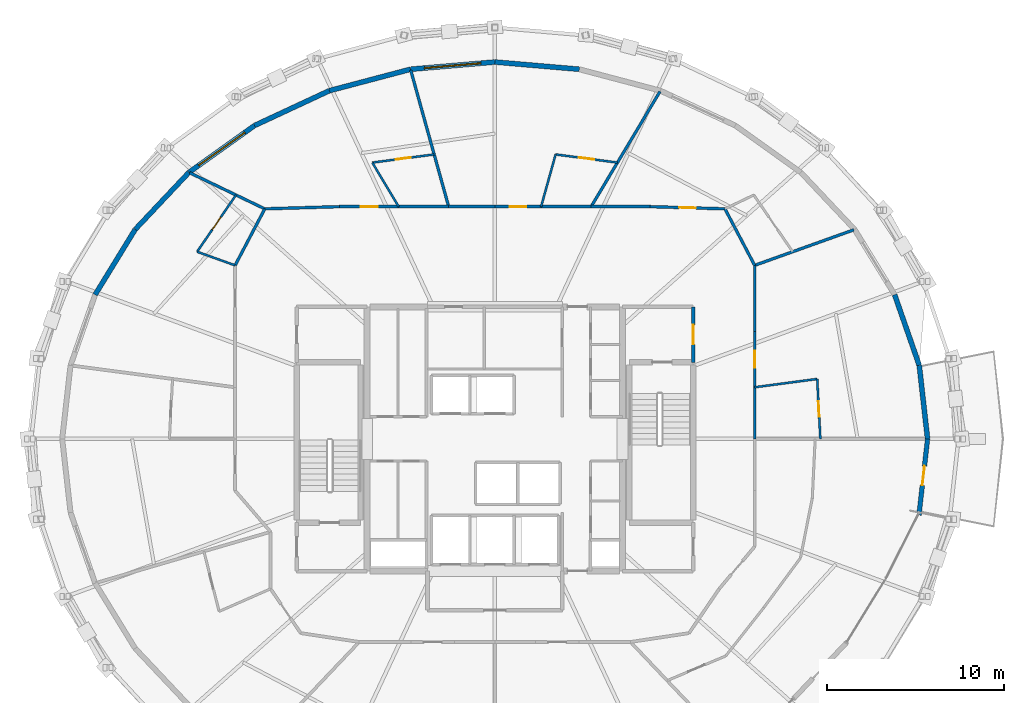
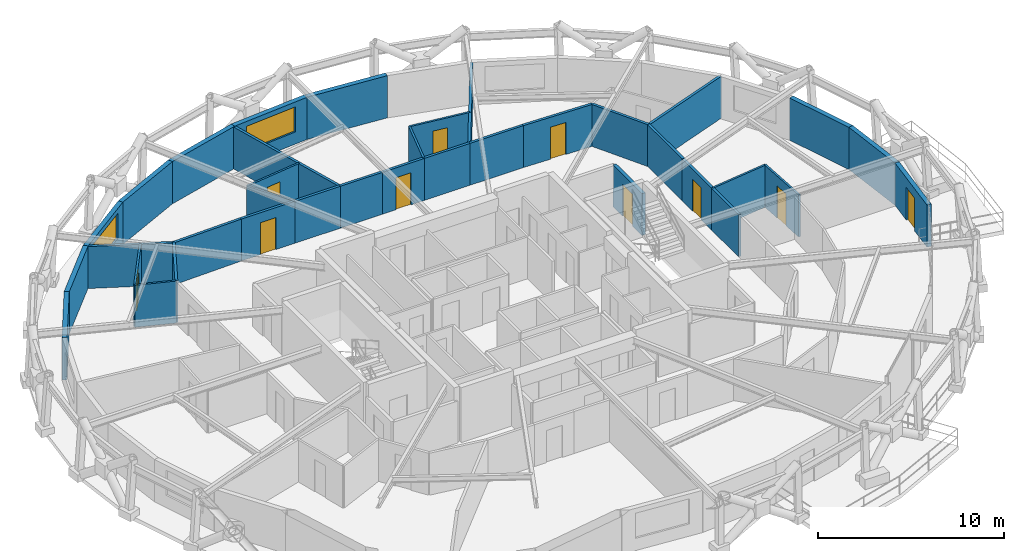
# One storey, part 12 of 14: 36 walls, 10 doors, 2 windows, 12 openings.
"""IFC4 building model written with IfcOpenShell, lengths in metres."""

from ifc_helpers import new_model, si_unit, direction, frame, frame_2d, origin, place, context, subcontext, project, spatial, rectangle, extrude, material, layer, layer_set, type_object, element, fill, save


model = new_model("IFC4")

# Units and contexts
model_context = context("Model", 3, precision=1e-05, world=origin(), true_north=direction((0.0, 1.0)))
body_context = subcontext(model_context, "Body", "Model", "MODEL_VIEW")
ifc_project = project(units=[si_unit("LENGTHUNIT", "METRE"), si_unit("AREAUNIT", "SQUARE_METRE"), si_unit("VOLUMEUNIT", "CUBIC_METRE"), si_unit("PLANEANGLEUNIT", "RADIAN"), si_unit("MASSUNIT", "GRAM", prefix="KILO")], contexts=[model_context])

# Site, building, storey
site_placement = place(None, origin())
site = spatial("IfcSite", under=ifc_project, at=site_placement, CompositionType="ELEMENT")
building_placement = place(site_placement, origin())
building = spatial("IfcBuilding", under=site, at=building_placement, Name="Veldorina Hangang Commons", CompositionType="ELEMENT")
storey_placement = place(building_placement, frame((0.0, 0.0, 200.0)))
storey = spatial("IfcBuildingStorey", under=building, at=storey_placement, Name="L52", CompositionType="ELEMENT", Elevation=200.0)

# Wall, opening, door
ifc_material_1 = material(Name="Stone Roman Travertine", Category="masonry")
ifc_layer_1 = layer(ifc_material_1, 0.260009765625)
ifc_layer_set_1 = layer_set([ifc_layer_1], Name="Stone Roman Travertine")
wall_type_1 = type_object("IfcWallType", Name="EW-LOGGIA-260", PredefinedType="STANDARD", material=ifc_layer_set_1)
wall_1_placement = place(storey_placement, frame((55.914794921875, 19.703369140625, 0.0), z_axis=(0.0, 0.0, 1.0), x_axis=(0.112302837685, 0.993674027359, 0.0)))
wall_1 = element("IfcWall", 1, at=wall_1_placement, inside=storey, type_object=wall_type_1, Name="L52 sky-garden loggia portal wall 31", PredefinedType="STANDARD", context=body_context, shape_type="SweptSolid", body=[
    extrude(rectangle(XDim=4.323974609375, YDim=0.260009765625, at=frame_2d((2.162109375, 0.0))), origin(), (0.0, 0.0, 1.0), 2.77001953125),
])
opening_1_placement = place(wall_1_placement, frame((1.6875, 0.0, 0.0)))
opening_1 = element("IfcOpeningElement", 2, at=opening_1_placement, cuts=wall_1, Name="Opening BD-1100", PredefinedType="OPENING", context=body_context, shape_type="SweptSolid", body=[
    extrude(rectangle(XDim=1.10009765625, YDim=2.14990234375, at=frame_2d((0.550048828125, 1.074951171875))), frame((0.0, 0.14013671875, 0.0), z_axis=(0.0, -1.0, 0.0), x_axis=(1.0, 0.0, 0.0)), (0.0, 0.0, 1.0), 0.280029296875),
])
ifc_material_2 = material(Name="Glass Thermal Aluminium Frame", Category="aluminium")
door_type_1 = type_object("IfcDoorType", Name="DR-EXT-BAL1100", OperationType="SINGLE_SWING_RIGHT", PredefinedType="DOOR", material=ifc_material_2)
door_1_placement = place(opening_1_placement, origin())
door_1 = element("IfcDoor", 3, at=door_1_placement, inside=storey, type_object=door_type_1, Name="L52 tree balcony glazed exterior door 31", OperationType="SINGLE_SWING_RIGHT", OverallHeight=2.14990234375, OverallWidth=1.10009765625, PredefinedType="DOOR", context=body_context, shape_type="SweptSolid", body=[
    extrude(rectangle(XDim=1.10009765625, YDim=2.14990234375, at=frame_2d((0.550048828125, 1.074951171875))), frame((0.0, 0.02490234375, 0.0), z_axis=(0.0, -1.0, 0.0), x_axis=(1.0, 0.0, 0.0)), (0.0, 0.0, 1.0), 0.050048828125),
])
fill(opening_1, door_1)

# Walls
ifc_layer_2 = layer(ifc_material_1, 0.280029296875)
ifc_layer_set_2 = layer_set([ifc_layer_2], Name="Stone Roman Travertine")
wall_type_2 = type_object("IfcWallType", Name="EW-TRAV-280", PredefinedType="STANDARD", material=ifc_layer_set_2)
wall_2_placement = place(storey_placement, frame((56.400390625, 24.0, 0.0), z_axis=(0.0, 0.0, 1.0), x_axis=(-0.112325534702, 0.99367146193, 0.0)))
element("IfcWall", 4, at=wall_2_placement, inside=storey, type_object=wall_type_2, Name="L52 travertine facade wall 00", PredefinedType="STANDARD", context=body_context, shape_type="SweptSolid", body=[
    extrude(rectangle(XDim=4.173095703125, YDim=0.280029296875, at=frame_2d((2.08642578125, 0.0))), origin(), (0.0, 0.0, 1.0), 2.77001953125),
])
wall_3_placement = place(storey_placement, frame((55.931640625, 28.146728515625, 0.0), z_axis=(0.0, 0.0, 1.0), x_axis=(-0.328845805233, 0.94438362776, 0.0)))
element("IfcWall", 5, at=wall_3_placement, inside=storey, type_object=wall_type_2, Name="L52 travertine facade wall 01", PredefinedType="STANDARD", context=body_context, shape_type="SweptSolid", body=[
    extrude(rectangle(XDim=4.22216796875, YDim=0.280029296875, at=frame_2d((2.111083984375, 0.0))), origin(), (0.0, 0.0, 1.0), 2.77001953125),
])
wall_4_placement = place(storey_placement, frame((36.76025390625, 44.8466796875, 0.0), z_axis=(0.0, 0.0, 1.0), x_axis=(-0.996339067147, 0.085489550689, 0.0)))
element("IfcWall", 6, at=wall_4_placement, inside=storey, type_object=wall_type_2, Name="L52 travertine facade wall 07", PredefinedType="STANDARD", context=body_context, shape_type="SweptSolid", body=[
    extrude(rectangle(XDim=4.77783203125, YDim=0.280029296875, at=frame_2d((2.388916015625, 0.0))), origin(), (0.0, 0.0, 1.0), 2.77001953125),
])

# Wall, opening, window
wall_5_placement = place(storey_placement, frame((32.0, 45.255126953125, 0.0), z_axis=(0.0, 0.0, 1.0), x_axis=(-0.996339067147, -0.085489550689, 0.0)))
wall_5 = element("IfcWall", 7, at=wall_5_placement, inside=storey, type_object=wall_type_2, Name="L52 travertine facade wall 08", PredefinedType="STANDARD", context=body_context, shape_type="SweptSolid", body=[
    extrude(rectangle(XDim=4.77783203125, YDim=0.280029296875, at=frame_2d((2.388916015625, 0.0))), origin(), (0.0, 0.0, 1.0), 2.77001953125),
])
opening_2_placement = place(wall_5_placement, frame((0.788818359375, 0.0, 0.800048828125)))
opening_2 = element("IfcOpeningElement", 8, at=opening_2_placement, cuts=wall_5, Name="Opening W-01", PredefinedType="OPENING", context=body_context, shape_type="SweptSolid", body=[
    extrude(rectangle(XDim=3.199951171875, YDim=1.64990234375, at=frame_2d((1.60009765625, 0.824951171875))), frame((0.0, 0.14990234375, 0.0), z_axis=(0.0, -1.0, 0.0), x_axis=(1.0, 0.0, 0.0)), (0.0, 0.0, 1.0), 0.300048828125),
])
ifc_material_3 = material(Name="Glass Low-E Triple IGU", Category="glass")
window_type = type_object("IfcWindowType", Name="WIN-TWR-3200", PartitioningType="SINGLE_PANEL", PredefinedType="WINDOW", material=ifc_material_3)
window_1_placement = place(opening_2_placement, origin())
window_1 = element("IfcWindow", 9, at=window_1_placement, inside=storey, type_object=window_type, Name="L52 facade window 08", OverallHeight=1.64990234375, OverallWidth=3.199951171875, PartitioningType="SINGLE_PANEL", PredefinedType="WINDOW", context=body_context, shape_type="SweptSolid", body=[
    extrude(rectangle(XDim=3.199951171875, YDim=1.64990234375, at=frame_2d((1.60009765625, 0.824951171875))), frame((0.0, 0.030029296875, 0.0), z_axis=(0.0, -1.0, 0.0), x_axis=(1.0, 0.0, 0.0)), (0.0, 0.0, 1.0), 0.06005859375),
])
fill(opening_2, window_1)

# Walls
wall_6_placement = place(storey_placement, frame((27.23974609375, 44.8466796875, 0.0), z_axis=(0.0, 0.0, 1.0), x_axis=(-0.966819561224, -0.255460243549, 0.0)))
element("IfcWall", 10, at=wall_6_placement, inside=storey, type_object=wall_type_2, Name="L52 travertine facade wall 09", PredefinedType="STANDARD", context=body_context, shape_type="SweptSolid", body=[
    extrude(rectangle(XDim=4.734375, YDim=0.280029296875, at=frame_2d((2.3671875, 0.0))), origin(), (0.0, 0.0, 1.0), 2.77001953125),
])
wall_7_placement = place(storey_placement, frame((22.662353515625, 43.63720703125, 0.0), z_axis=(0.0, 0.0, 1.0), x_axis=(-0.906555409807, -0.422086826315, 0.0)))
element("IfcWall", 11, at=wall_7_placement, inside=storey, type_object=wall_type_2, Name="L52 travertine facade wall 10", PredefinedType="STANDARD", context=body_context, shape_type="SweptSolid", body=[
    extrude(rectangle(XDim=4.6533203125, YDim=0.280029296875, at=frame_2d((2.32666015625, 0.0))), origin(), (0.0, 0.0, 1.0), 2.77001953125),
])

# Wall, opening, window
wall_8_placement = place(storey_placement, frame((18.44384765625, 41.673095703125, 0.0), z_axis=(0.0, 0.0, 1.0), x_axis=(-0.813519294528, -0.581537924327, 0.0)))
wall_8 = element("IfcWall", 12, at=wall_8_placement, inside=storey, type_object=wall_type_2, Name="L52 travertine facade wall 11", PredefinedType="STANDARD", context=body_context, shape_type="SweptSolid", body=[
    extrude(rectangle(XDim=4.54541015625, YDim=0.280029296875, at=frame_2d((2.272705078125, 0.0))), origin(), (0.0, 0.0, 1.0), 2.77001953125),
])
opening_3_placement = place(wall_8_placement, frame((0.672607421875, 0.0, 0.800048828125)))
opening_3 = element("IfcOpeningElement", 13, at=opening_3_placement, cuts=wall_8, Name="Opening W-01", PredefinedType="OPENING", context=body_context, shape_type="SweptSolid", body=[
    extrude(rectangle(XDim=3.199951171875, YDim=1.64990234375, at=frame_2d((1.60009765625, 0.824951171875))), frame((0.0, 0.14990234375, 0.0), z_axis=(0.0, -1.0, 0.0), x_axis=(1.0, 0.0, 0.0)), (0.0, 0.0, 1.0), 0.300048828125),
])
window_2_placement = place(opening_3_placement, origin())
window_2 = element("IfcWindow", 14, at=window_2_placement, inside=storey, type_object=window_type, Name="L52 facade window 11", OverallHeight=1.64990234375, OverallWidth=3.199951171875, PartitioningType="SINGLE_PANEL", PredefinedType="WINDOW", context=body_context, shape_type="SweptSolid", body=[
    extrude(rectangle(XDim=3.199951171875, YDim=1.64990234375, at=frame_2d((1.60009765625, 0.824951171875))), frame((0.0, 0.030029296875, 0.0), z_axis=(0.0, -1.0, 0.0), x_axis=(1.0, 0.0, 0.0)), (0.0, 0.0, 1.0), 0.06005859375),
])
fill(opening_3, window_2)

# Walls
wall_9_placement = place(storey_placement, frame((14.74609375, 39.02978515625, 0.0), z_axis=(0.0, 0.0, 1.0), x_axis=(-0.685717407763, -0.727867870352, 0.0)))
element("IfcWall", 15, at=wall_9_placement, inside=storey, type_object=wall_type_2, Name="L52 travertine facade wall 12", PredefinedType="STANDARD", context=body_context, shape_type="SweptSolid", body=[
    extrude(rectangle(XDim=4.42529296875, YDim=0.280029296875, at=frame_2d((2.212646484375, 0.0))), origin(), (0.0, 0.0, 1.0), 2.77001953125),
])
wall_10_placement = place(storey_placement, frame((11.711669921875, 35.808837890625, 0.0), z_axis=(0.0, 0.0, 1.0), x_axis=(-0.522997521468, -0.852334202375, 0.0)))
element("IfcWall", 16, at=wall_10_placement, inside=storey, type_object=wall_type_2, Name="L52 travertine facade wall 13", PredefinedType="STANDARD", context=body_context, shape_type="SweptSolid", body=[
    extrude(rectangle(XDim=4.3115234375, YDim=0.280029296875, at=frame_2d((2.15576171875, 0.0))), origin(), (0.0, 0.0, 1.0), 2.77001953125),
])
ifc_material_4 = material(Name="Gypsum Fire-Rated Twin Stud Wall", Category="gypsum")
ifc_layer_3 = layer(ifc_material_4, 0.159912109375)
ifc_layer_set_3 = layer_set([ifc_layer_3], Name="Gypsum Fire-Rated Twin Stud Wall")
wall_type_3 = type_object("IfcWallType", Name="WL-FIRE-160", PredefinedType="SOLIDWALL", material=ifc_layer_set_3)
wall_11_placement = place(storey_placement, frame((46.64990234375, 24.0, 0.0), z_axis=(0.0, 0.0, 1.0), x_axis=(0.0, 1.0, 0.0)))
element("IfcWall", 17, at=wall_11_placement, inside=storey, type_object=wall_type_3, Name="L52 U-corridor outer wall 00 050", PredefinedType="SOLIDWALL", context=body_context, shape_type="SweptSolid", body=[
    extrude(rectangle(XDim=2.9140625, YDim=0.159912109375, at=frame_2d((1.45703125, 0.0))), origin(), (0.0, 0.0, 1.0), 2.75),
])

# Wall, opening, door
wall_12_placement = place(storey_placement, frame((46.64990234375, 26.9140625, 0.0), z_axis=(0.0, 0.0, 1.0), x_axis=(0.0, 1.0, 0.0)))
wall_12 = element("IfcWall", 18, at=wall_12_placement, inside=storey, type_object=wall_type_3, Name="L52 U-corridor outer wall 01 051", PredefinedType="SOLIDWALL", context=body_context, shape_type="SweptSolid", body=[
    extrude(rectangle(XDim=3.154052734375, YDim=0.159912109375, at=frame_2d((1.5771484375, 0.0))), origin(), (0.0, 0.0, 1.0), 2.75),
])
opening_4_placement = place(wall_12_placement, frame((1.10205078125, 0.0, 0.0)))
opening_4 = element("IfcOpeningElement", 19, at=opening_4_placement, cuts=wall_12, Name="Opening D-03", PredefinedType="OPENING", context=body_context, shape_type="SweptSolid", body=[
    extrude(rectangle(XDim=0.949951171875, YDim=2.10009765625, at=frame_2d((0.47509765625, 1.050048828125))), frame((0.0, 0.08984375, 0.0), z_axis=(0.0, -1.0, 0.0), x_axis=(1.0, 0.0, 0.0)), (0.0, 0.0, 1.0), 0.179931640625),
])
ifc_material_5 = material(Name="Timber Fire-Rated Entrance Core", Category="wood")
door_type_2 = type_object("IfcDoorType", Name="DR-UNIT-950", OperationType="SINGLE_SWING_RIGHT", PredefinedType="DOOR", material=ifc_material_5)
door_2_placement = place(opening_4_placement, origin())
door_2 = element("IfcDoor", 20, at=door_2_placement, inside=storey, type_object=door_type_2, Name="L52 Studio 2 entrance door 025", OperationType="SINGLE_SWING_LEFT", OverallHeight=2.10009765625, OverallWidth=0.949951171875, PredefinedType="DOOR", context=body_context, shape_type="SweptSolid", body=[
    extrude(rectangle(XDim=0.949951171875, YDim=2.10009765625, at=frame_2d((0.47509765625, 1.050048828125))), frame((0.0, 0.02490234375, 0.0), z_axis=(0.0, -1.0, 0.0), x_axis=(1.0, 0.0, 0.0)), (0.0, 0.0, 1.0), 0.050048828125),
])
fill(opening_4, door_2)

# Walls
wall_13_placement = place(storey_placement, frame((46.64990234375, 30.068115234375, 0.0), z_axis=(0.0, 0.0, 1.0), x_axis=(0.0, 1.0, 0.0)))
element("IfcWall", 21, at=wall_13_placement, inside=storey, type_object=wall_type_3, Name="L52 U-corridor outer wall 02 052", PredefinedType="SOLIDWALL", context=body_context, shape_type="SweptSolid", body=[
    extrude(rectangle(XDim=3.720703125, YDim=0.159912109375, at=frame_2d((1.8603515625, 0.0))), origin(), (0.0, 0.0, 1.0), 2.75),
])
wall_14_placement = place(storey_placement, frame((46.64990234375, 33.788818359375, 0.0), z_axis=(0.0, 0.0, 1.0), x_axis=(-0.46527115782, 0.885168204185, 0.0)))
element("IfcWall", 22, at=wall_14_placement, inside=storey, type_object=wall_type_3, Name="L52 U-corridor outer wall 03 053", PredefinedType="SOLIDWALL", context=body_context, shape_type="SweptSolid", body=[
    extrude(rectangle(XDim=3.599609375, YDim=0.159912109375, at=frame_2d((1.7998046875, 0.0))), origin(), (0.0, 0.0, 1.0), 2.75),
])

# Wall, opening, door
wall_15_placement = place(storey_placement, frame((44.97509765625, 36.97509765625, 0.0), z_axis=(0.0, 0.0, 1.0), x_axis=(-0.999561990195, 0.029594387265, 0.0)))
wall_15 = element("IfcWall", 23, at=wall_15_placement, inside=storey, type_object=wall_type_3, Name="L52 U-corridor outer wall 04 054", PredefinedType="SOLIDWALL", context=body_context, shape_type="SweptSolid", body=[
    extrude(rectangle(XDim=4.223876953125, YDim=0.159912109375, at=frame_2d((2.11181640625, 0.0))), origin(), (0.0, 0.0, 1.0), 2.75),
])
opening_5_placement = place(wall_15_placement, frame((1.636962890625, 0.0, 0.0)))
opening_5 = element("IfcOpeningElement", 24, at=opening_5_placement, cuts=wall_15, Name="Opening D-03", PredefinedType="OPENING", context=body_context, shape_type="SweptSolid", body=[
    extrude(rectangle(XDim=0.949951171875, YDim=2.10009765625, at=frame_2d((0.47509765625, 1.050048828125))), frame((0.0, 0.08984375, 0.0), z_axis=(0.0, -1.0, 0.0), x_axis=(1.0, 0.0, 0.0)), (0.0, 0.0, 1.0), 0.179931640625),
])
door_3_placement = place(opening_5_placement, origin())
door_3 = element("IfcDoor", 25, at=door_3_placement, inside=storey, type_object=door_type_2, Name="L52 Studio 3 entrance door 027", OperationType="SINGLE_SWING_LEFT", OverallHeight=2.10009765625, OverallWidth=0.949951171875, PredefinedType="DOOR", context=body_context, shape_type="SweptSolid", body=[
    extrude(rectangle(XDim=0.949951171875, YDim=2.10009765625, at=frame_2d((0.47509765625, 1.050048828125))), frame((0.0, 0.02490234375, 0.0), z_axis=(0.0, -1.0, 0.0), x_axis=(1.0, 0.0, 0.0)), (0.0, 0.0, 1.0), 0.050048828125),
])
fill(opening_5, door_3)

# Walls
wall_16_placement = place(storey_placement, frame((40.753173828125, 37.10009765625, 0.0), z_axis=(0.0, 0.0, 1.0), x_axis=(-1.0, 0.0, 0.0)))
element("IfcWall", 26, at=wall_16_placement, inside=storey, type_object=wall_type_3, Name="L52 U-corridor outer wall 05 055", PredefinedType="SOLIDWALL", context=body_context, shape_type="SweptSolid", body=[
    extrude(rectangle(XDim=3.326904296875, YDim=0.159912109375, at=frame_2d((1.66357421875, 0.0))), origin(), (0.0, 0.0, 1.0), 2.75),
])
wall_17_placement = place(storey_placement, frame((37.42626953125, 37.10009765625, 0.0), z_axis=(0.0, 0.0, 1.0), x_axis=(-1.0, 0.0, 0.0)))
element("IfcWall", 27, at=wall_17_placement, inside=storey, type_object=wall_type_3, Name="L52 U-corridor outer wall 06 056", PredefinedType="SOLIDWALL", context=body_context, shape_type="SweptSolid", body=[
    extrude(rectangle(XDim=2.820556640625, YDim=0.159912109375, at=frame_2d((1.41015625, 0.0))), origin(), (0.0, 0.0, 1.0), 2.75),
])

# Wall, opening, door
wall_18_placement = place(storey_placement, frame((34.605712890625, 37.10009765625, 0.0), z_axis=(0.0, 0.0, 1.0), x_axis=(-1.0, 0.0, 0.0)))
wall_18 = element("IfcWall", 28, at=wall_18_placement, inside=storey, type_object=wall_type_3, Name="L52 U-corridor outer wall 07 057", PredefinedType="SOLIDWALL", context=body_context, shape_type="SweptSolid", body=[
    extrude(rectangle(XDim=2.605712890625, YDim=0.159912109375, at=frame_2d((1.302734375, 0.0))), origin(), (0.0, 0.0, 1.0), 2.75),
])
opening_6_placement = place(wall_18_placement, frame((0.827880859375, 0.0, 0.0)))
opening_6 = element("IfcOpeningElement", 29, at=opening_6_placement, cuts=wall_18, Name="Opening D-03", PredefinedType="OPENING", context=body_context, shape_type="SweptSolid", body=[
    extrude(rectangle(XDim=0.949951171875, YDim=2.10009765625, at=frame_2d((0.47509765625, 1.050048828125))), frame((0.0, 0.08984375, 0.0), z_axis=(0.0, -1.0, 0.0), x_axis=(1.0, 0.0, 0.0)), (0.0, 0.0, 1.0), 0.179931640625),
])
door_4_placement = place(opening_6_placement, origin())
door_4 = element("IfcDoor", 30, at=door_4_placement, inside=storey, type_object=door_type_2, Name="L52 Studio 4 entrance door 029", OperationType="SINGLE_SWING_LEFT", OverallHeight=2.10009765625, OverallWidth=0.949951171875, PredefinedType="DOOR", context=body_context, shape_type="SweptSolid", body=[
    extrude(rectangle(XDim=0.949951171875, YDim=2.10009765625, at=frame_2d((0.47509765625, 1.050048828125))), frame((0.0, 0.02490234375, 0.0), z_axis=(0.0, -1.0, 0.0), x_axis=(1.0, 0.0, 0.0)), (0.0, 0.0, 1.0), 0.050048828125),
])
fill(opening_6, door_4)

# Walls
wall_19_placement = place(storey_placement, frame((32.0, 37.10009765625, 0.0), z_axis=(0.0, 0.0, 1.0), x_axis=(-1.0, 0.0, 0.0)))
element("IfcWall", 31, at=wall_19_placement, inside=storey, type_object=wall_type_3, Name="L52 U-corridor outer wall 08 058", PredefinedType="SOLIDWALL", context=body_context, shape_type="SweptSolid", body=[
    extrude(rectangle(XDim=2.605712890625, YDim=0.159912109375, at=frame_2d((1.302734375, 0.0))), origin(), (0.0, 0.0, 1.0), 2.75),
])
wall_20_placement = place(storey_placement, frame((29.394287109375, 37.10009765625, 0.0), z_axis=(0.0, 0.0, 1.0), x_axis=(-1.0, 0.0, 0.0)))
element("IfcWall", 32, at=wall_20_placement, inside=storey, type_object=wall_type_3, Name="L52 U-corridor outer wall 09 059", PredefinedType="SOLIDWALL", context=body_context, shape_type="SweptSolid", body=[
    extrude(rectangle(XDim=2.820556640625, YDim=0.159912109375, at=frame_2d((1.41015625, 0.0))), origin(), (0.0, 0.0, 1.0), 2.75),
])

# Wall, opening, door
wall_21_placement = place(storey_placement, frame((26.57373046875, 37.10009765625, 0.0), z_axis=(0.0, 0.0, 1.0), x_axis=(-1.0, 0.0, 0.0)))
wall_21 = element("IfcWall", 33, at=wall_21_placement, inside=storey, type_object=wall_type_3, Name="L52 U-corridor outer wall 10 060", PredefinedType="SOLIDWALL", context=body_context, shape_type="SweptSolid", body=[
    extrude(rectangle(XDim=3.326904296875, YDim=0.159912109375, at=frame_2d((1.66357421875, 0.0))), origin(), (0.0, 0.0, 1.0), 2.75),
])
opening_7_placement = place(wall_21_placement, frame((1.1884765625, 0.0, 0.0)))
opening_7 = element("IfcOpeningElement", 34, at=opening_7_placement, cuts=wall_21, Name="Opening D-03", PredefinedType="OPENING", context=body_context, shape_type="SweptSolid", body=[
    extrude(rectangle(XDim=0.949951171875, YDim=2.10009765625, at=frame_2d((0.47509765625, 1.050048828125))), frame((0.0, 0.08984375, 0.0), z_axis=(0.0, -1.0, 0.0), x_axis=(1.0, 0.0, 0.0)), (0.0, 0.0, 1.0), 0.179931640625),
])
door_5_placement = place(opening_7_placement, origin())
door_5 = element("IfcDoor", 35, at=door_5_placement, inside=storey, type_object=door_type_2, Name="L52 Studio 5 entrance door 031", OperationType="SINGLE_SWING_LEFT", OverallHeight=2.10009765625, OverallWidth=0.949951171875, PredefinedType="DOOR", context=body_context, shape_type="SweptSolid", body=[
    extrude(rectangle(XDim=0.949951171875, YDim=2.10009765625, at=frame_2d((0.47509765625, 1.050048828125))), frame((0.0, 0.02490234375, 0.0), z_axis=(0.0, -1.0, 0.0), x_axis=(1.0, 0.0, 0.0)), (0.0, 0.0, 1.0), 0.050048828125),
])
fill(opening_7, door_5)

# Walls
wall_22_placement = place(storey_placement, frame((23.246826171875, 37.10009765625, 0.0), z_axis=(0.0, 0.0, 1.0), x_axis=(-0.999561990195, -0.029594387265, 0.0)))
element("IfcWall", 36, at=wall_22_placement, inside=storey, type_object=wall_type_3, Name="L52 U-corridor outer wall 11 061", PredefinedType="SOLIDWALL", context=body_context, shape_type="SweptSolid", body=[
    extrude(rectangle(XDim=4.223876953125, YDim=0.159912109375, at=frame_2d((2.11181640625, 0.0))), origin(), (0.0, 0.0, 1.0), 2.75),
])
wall_23_placement = place(storey_placement, frame((19.02490234375, 36.97509765625, 0.0), z_axis=(0.0, 0.0, 1.0), x_axis=(-0.46527115782, -0.885168204185, 0.0)))
element("IfcWall", 37, at=wall_23_placement, inside=storey, type_object=wall_type_3, Name="L52 U-corridor outer wall 12 062", PredefinedType="SOLIDWALL", context=body_context, shape_type="SweptSolid", body=[
    extrude(rectangle(XDim=3.599609375, YDim=0.159912109375, at=frame_2d((1.7998046875, 0.0))), origin(), (0.0, 0.0, 1.0), 2.75),
])
wall_24_placement = place(storey_placement, frame((46.64990234375, 33.788818359375, 0.0), z_axis=(0.0, 0.0, 1.0), x_axis=(0.941406646074, 0.33727366741, 0.0)))
element("IfcWall", 38, at=wall_24_placement, inside=storey, type_object=wall_type_3, Name="L52 Unit party wall 03 091", PredefinedType="SOLIDWALL", context=body_context, shape_type="SweptSolid", body=[
    extrude(rectangle(XDim=5.939208984375, YDim=0.159912109375, at=frame_2d((2.9697265625, 0.0))), origin(), (0.0, 0.0, 1.0), 2.75),
])
wall_25_placement = place(storey_placement, frame((37.42626953125, 37.10009765625, 0.0), z_axis=(0.0, 0.0, 1.0), x_axis=(0.513451665376, 0.858118515896, 0.0)))
element("IfcWall", 39, at=wall_25_placement, inside=storey, type_object=wall_type_3, Name="L52 Unit party wall 06 094", PredefinedType="SOLIDWALL", context=body_context, shape_type="SweptSolid", body=[
    extrude(rectangle(XDim=7.56787109375, YDim=0.159912109375, at=frame_2d((3.783935546875, 0.0))), origin(), (0.0, 0.0, 1.0), 2.75),
])
wall_26_placement = place(storey_placement, frame((29.394287109375, 37.10009765625, 0.0), z_axis=(0.0, 0.0, 1.0), x_axis=(-0.26795113258, 0.963432504408, 0.0)))
element("IfcWall", 40, at=wall_26_placement, inside=storey, type_object=wall_type_3, Name="L52 Unit party wall 09 097", PredefinedType="SOLIDWALL", context=body_context, shape_type="SweptSolid", body=[
    extrude(rectangle(XDim=7.99072265625, YDim=0.159912109375, at=frame_2d((3.995361328125, 0.0))), origin(), (0.0, 0.0, 1.0), 2.75),
])
wall_27_placement = place(storey_placement, frame((19.02490234375, 36.97509765625, 0.0), z_axis=(0.0, 0.0, 1.0), x_axis=(-0.901455717386, 0.43287133145, 0.0)))
element("IfcWall", 41, at=wall_27_placement, inside=storey, type_object=wall_type_3, Name="L52 Unit party wall 12 100", PredefinedType="SOLIDWALL", context=body_context, shape_type="SweptSolid", body=[
    extrude(rectangle(XDim=4.696533203125, YDim=0.159912109375, at=frame_2d((2.34814453125, 0.0))), origin(), (0.0, 0.0, 1.0), 2.75),
])

# Wall, opening, door
ifc_material_6 = material(Name="Concrete Blockwork Fire Wall C30/37", Category="masonry")
ifc_layer_4 = layer(ifc_material_6, 0.199951171875)
ifc_layer_set_4 = layer_set([ifc_layer_4], Name="Concrete Blockwork Fire Wall C30/37")
wall_type_4 = type_object("IfcWallType", Name="WL-FIRE-200", PredefinedType="SOLIDWALL", material=ifc_layer_set_4)
wall_28_placement = place(storey_placement, frame((43.179931640625, 28.320068359375, 0.0), z_axis=(0.0, 0.0, 1.0), x_axis=(0.0, 1.0, 0.0)))
wall_28 = element("IfcWall", 42, at=wall_28_placement, inside=storey, type_object=wall_type_4, Name="L52 East vestibule outer wall 003", PredefinedType="SOLIDWALL", context=body_context, shape_type="SweptSolid", body=[
    extrude(rectangle(XDim=3.1298828125, YDim=0.199951171875, at=frame_2d((1.56494140625, 0.0))), origin(), (0.0, 0.0, 1.0), 2.75),
])
opening_8_placement = place(wall_28_placement, frame((1.014892578125, 0.0, 0.0)))
opening_8 = element("IfcOpeningElement", 43, at=opening_8_placement, cuts=wall_28, Name="Opening D-08", PredefinedType="OPENING", context=body_context, shape_type="SweptSolid", body=[
    extrude(rectangle(XDim=1.10009765625, YDim=2.10009765625, at=frame_2d((0.550048828125, 1.050048828125))), frame((0.0, 0.10986328125, 0.0), z_axis=(0.0, -1.0, 0.0), x_axis=(1.0, 0.0, 0.0)), (0.0, 0.0, 1.0), 0.219970703125),
])
ifc_material_7 = material(Name="Steel Fire-Rated Smoke Seal", Category="steel")
door_type_3 = type_object("IfcDoorType", Name="DR-FIRE-1100", OperationType="SINGLE_SWING_RIGHT", PredefinedType="DOOR", material=ifc_material_7)
door_6_placement = place(opening_8_placement, origin())
door_6 = element("IfcDoor", 44, at=door_6_placement, inside=storey, type_object=door_type_3, Name="L52 East vestibule east door 002", OperationType="SINGLE_SWING_RIGHT", OverallHeight=2.10009765625, OverallWidth=1.10009765625, PredefinedType="DOOR", context=body_context, shape_type="SweptSolid", body=[
    extrude(rectangle(XDim=1.10009765625, YDim=2.10009765625, at=frame_2d((0.550048828125, 1.050048828125))), frame((0.0, 0.02490234375, 0.0), z_axis=(0.0, -1.0, 0.0), x_axis=(1.0, 0.0, 0.0)), (0.0, 0.0, 1.0), 0.050048828125),
])
fill(opening_8, door_6)

ifc_material_8 = material(Name="Gypsum Acoustic Stud Partition", Category="gypsum")
ifc_layer_5 = layer(ifc_material_8, 0.1201171875)
ifc_layer_set_5 = layer_set([ifc_layer_5], Name="Gypsum Acoustic Stud Partition")
wall_type_5 = type_object("IfcWallType", Name="WL-PART-120", PredefinedType="PARTITIONING", material=ifc_layer_set_5)
wall_29_placement = place(storey_placement, frame((50.355224609375, 24.0, 0.0), z_axis=(0.0, 0.0, 1.0), x_axis=(-0.052615578061, 0.99861484114, 0.0)))
wall_29 = element("IfcWall", 45, at=wall_29_placement, inside=storey, type_object=wall_type_5, Name="L52 Studio 2 bath front wall 089", PredefinedType="PARTITIONING", context=body_context, shape_type="SweptSolid", body=[
    extrude(rectangle(XDim=3.38720703125, YDim=0.1201171875, at=frame_2d((1.693603515625, 0.0))), origin(), (0.0, 0.0, 1.0), 2.75),
])
opening_9_placement = place(wall_29_placement, frame((1.263671875, 0.0, 0.0)))
opening_9 = element("IfcOpeningElement", 46, at=opening_9_placement, cuts=wall_29, Name="Opening D-01", PredefinedType="OPENING", context=body_context, shape_type="SweptSolid", body=[
    extrude(rectangle(XDim=0.860107421875, YDim=2.10009765625, at=frame_2d((0.43017578125, 1.050048828125))), frame((0.0, 0.070068359375, 0.0), z_axis=(0.0, -1.0, 0.0), x_axis=(1.0, 0.0, 0.0)), (0.0, 0.0, 1.0), 0.14013671875),
])
ifc_material_9 = material(Name="Timber Moisture-Resistant Core", Category="wood")
door_type_4 = type_object("IfcDoorType", Name="DR-WET-860", OperationType="SINGLE_SWING_LEFT", PredefinedType="DOOR", material=ifc_material_9)
door_7_placement = place(opening_9_placement, origin())
door_7 = element("IfcDoor", 47, at=door_7_placement, inside=storey, type_object=door_type_4, Name="L52 Studio 2 bathroom door 024", OperationType="SINGLE_SWING_RIGHT", OverallHeight=2.10009765625, OverallWidth=0.860107421875, PredefinedType="DOOR", context=body_context, shape_type="SweptSolid", body=[
    extrude(rectangle(XDim=0.860107421875, YDim=2.10009765625, at=frame_2d((0.43017578125, 1.050048828125))), frame((0.0, 0.02490234375, 0.0), z_axis=(0.0, -1.0, 0.0), x_axis=(1.0, 0.0, 0.0)), (0.0, 0.0, 1.0), 0.050048828125),
])
fill(opening_9, door_7)

# Wall
wall_30_placement = place(storey_placement, frame((46.64990234375, 26.9140625, 0.0), z_axis=(0.0, 0.0, 1.0), x_axis=(0.991293099507, 0.131673804801, 0.0)))
element("IfcWall", 48, at=wall_30_placement, inside=storey, type_object=wall_type_5, Name="L52 Studio 2 bath side wall 090", PredefinedType="PARTITIONING", context=body_context, shape_type="SweptSolid", body=[
    extrude(rectangle(XDim=3.55810546875, YDim=0.1201171875, at=frame_2d((1.779052734375, 0.0))), origin(), (0.0, 0.0, 1.0), 2.75),
])

# Wall, opening, door
wall_31_placement = place(storey_placement, frame((38.91259765625, 39.583984375, 0.0), z_axis=(0.0, 0.0, 1.0), x_axis=(-0.99142616553, 0.130668122747, 0.0)))
wall_31 = element("IfcWall", 49, at=wall_31_placement, inside=storey, type_object=wall_type_5, Name="L52 Studio 4 bath front wall 095", PredefinedType="PARTITIONING", context=body_context, shape_type="SweptSolid", body=[
    extrude(rectangle(XDim=3.518310546875, YDim=0.1201171875, at=frame_2d((1.75927734375, 0.0))), origin(), (0.0, 0.0, 1.0), 2.75),
])
opening_10_placement = place(wall_31_placement, frame((1.3291015625, 0.0, 0.0)))
opening_10 = element("IfcOpeningElement", 50, at=opening_10_placement, cuts=wall_31, Name="Opening D-01", PredefinedType="OPENING", context=body_context, shape_type="SweptSolid", body=[
    extrude(rectangle(XDim=0.860107421875, YDim=2.10009765625, at=frame_2d((0.43017578125, 1.050048828125))), frame((0.0, 0.070068359375, 0.0), z_axis=(0.0, -1.0, 0.0), x_axis=(1.0, 0.0, 0.0)), (0.0, 0.0, 1.0), 0.14013671875),
])
door_8_placement = place(opening_10_placement, origin())
door_8 = element("IfcDoor", 51, at=door_8_placement, inside=storey, type_object=door_type_4, Name="L52 Studio 4 bathroom door 028", OperationType="SINGLE_SWING_RIGHT", OverallHeight=2.10009765625, OverallWidth=0.860107421875, PredefinedType="DOOR", context=body_context, shape_type="SweptSolid", body=[
    extrude(rectangle(XDim=0.860107421875, YDim=2.10009765625, at=frame_2d((0.43017578125, 1.050048828125))), frame((0.0, 0.02490234375, 0.0), z_axis=(0.0, -1.0, 0.0), x_axis=(1.0, 0.0, 0.0)), (0.0, 0.0, 1.0), 0.050048828125),
])
fill(opening_10, door_8)

# Wall
wall_32_placement = place(storey_placement, frame((34.605712890625, 37.10009765625, 0.0), z_axis=(0.0, 0.0, 1.0), x_axis=(0.268002388825, 0.963418247484, 0.0)))
element("IfcWall", 52, at=wall_32_placement, inside=storey, type_object=wall_type_5, Name="L52 Studio 4 bath side wall 096", PredefinedType="PARTITIONING", context=body_context, shape_type="SweptSolid", body=[
    extrude(rectangle(XDim=3.055419921875, YDim=0.1201171875, at=frame_2d((1.52783203125, 0.0))), origin(), (0.0, 0.0, 1.0), 2.75),
])

# Wall, opening, door
wall_33_placement = place(storey_placement, frame((28.575439453125, 40.043701171875, 0.0), z_axis=(0.0, 0.0, 1.0), x_axis=(-0.99142616553, -0.130668122747, 0.0)))
wall_33 = element("IfcWall", 53, at=wall_33_placement, inside=storey, type_object=wall_type_5, Name="L52 Studio 5 bath front wall 098", PredefinedType="PARTITIONING", context=body_context, shape_type="SweptSolid", body=[
    extrude(rectangle(XDim=3.518310546875, YDim=0.1201171875, at=frame_2d((1.75927734375, 0.0))), origin(), (0.0, 0.0, 1.0), 2.75),
])
opening_11_placement = place(wall_33_placement, frame((1.3291015625, 0.0, 0.0)))
opening_11 = element("IfcOpeningElement", 54, at=opening_11_placement, cuts=wall_33, Name="Opening D-01", PredefinedType="OPENING", context=body_context, shape_type="SweptSolid", body=[
    extrude(rectangle(XDim=0.860107421875, YDim=2.10009765625, at=frame_2d((0.43017578125, 1.050048828125))), frame((0.0, 0.070068359375, 0.0), z_axis=(0.0, -1.0, 0.0), x_axis=(1.0, 0.0, 0.0)), (0.0, 0.0, 1.0), 0.14013671875),
])
door_9_placement = place(opening_11_placement, origin())
door_9 = element("IfcDoor", 55, at=door_9_placement, inside=storey, type_object=door_type_4, Name="L52 Studio 5 bathroom door 030", OperationType="SINGLE_SWING_RIGHT", OverallHeight=2.10009765625, OverallWidth=0.860107421875, PredefinedType="DOOR", context=body_context, shape_type="SweptSolid", body=[
    extrude(rectangle(XDim=0.860107421875, YDim=2.10009765625, at=frame_2d((0.43017578125, 1.050048828125))), frame((0.0, 0.02490234375, 0.0), z_axis=(0.0, -1.0, 0.0), x_axis=(1.0, 0.0, 0.0)), (0.0, 0.0, 1.0), 0.050048828125),
])
fill(opening_11, door_9)

# Wall
wall_34_placement = place(storey_placement, frame((26.57373046875, 37.10009765625, 0.0), z_axis=(0.0, 0.0, 1.0), x_axis=(-0.513478319861, 0.858102566732, 0.0)))
element("IfcWall", 56, at=wall_34_placement, inside=storey, type_object=wall_type_5, Name="L52 Studio 5 bath side wall 099", PredefinedType="PARTITIONING", context=body_context, shape_type="SweptSolid", body=[
    extrude(rectangle(XDim=2.89453125, YDim=0.1201171875, at=frame_2d((1.447265625, 0.0))), origin(), (0.0, 0.0, 1.0), 2.75),
])

# Wall, opening, door
wall_35_placement = place(storey_placement, frame((17.399169921875, 37.755859375, 0.0), z_axis=(0.0, 0.0, 1.0), x_axis=(-0.56513068161, -0.825001401637, 0.0)))
wall_35 = element("IfcWall", 57, at=wall_35_placement, inside=storey, type_object=wall_type_5, Name="L52 Studio 6 bath front wall 101", PredefinedType="PARTITIONING", context=body_context, shape_type="SweptSolid", body=[
    extrude(rectangle(XDim=3.878173828125, YDim=0.1201171875, at=frame_2d((1.93896484375, 0.0))), origin(), (0.0, 0.0, 1.0), 2.75),
])
opening_12_placement = place(wall_35_placement, frame((1.509033203125, 0.0, 0.0)))
opening_12 = element("IfcOpeningElement", 58, at=opening_12_placement, cuts=wall_35, Name="Opening D-01", PredefinedType="OPENING", context=body_context, shape_type="SweptSolid", body=[
    extrude(rectangle(XDim=0.860107421875, YDim=2.10009765625, at=frame_2d((0.43017578125, 1.050048828125))), frame((0.0, 0.070068359375, 0.0), z_axis=(0.0, -1.0, 0.0), x_axis=(1.0, 0.0, 0.0)), (0.0, 0.0, 1.0), 0.14013671875),
])
door_10_placement = place(opening_12_placement, origin())
door_10 = element("IfcDoor", 59, at=door_10_placement, inside=storey, type_object=door_type_4, Name="L52 Studio 6 bathroom door 032", OperationType="SINGLE_SWING_RIGHT", OverallHeight=2.10009765625, OverallWidth=0.860107421875, PredefinedType="DOOR", context=body_context, shape_type="SweptSolid", body=[
    extrude(rectangle(XDim=0.860107421875, YDim=2.10009765625, at=frame_2d((0.43017578125, 1.050048828125))), frame((0.0, 0.02490234375, 0.0), z_axis=(0.0, -1.0, 0.0), x_axis=(1.0, 0.0, 0.0)), (0.0, 0.0, 1.0), 0.050048828125),
])
fill(opening_12, door_10)

# Wall
wall_36_placement = place(storey_placement, frame((17.35009765625, 33.788818359375, 0.0), z_axis=(0.0, 0.0, 1.0), x_axis=(-0.94141139312, 0.337260417043, 0.0)))
element("IfcWall", 60, at=wall_36_placement, inside=storey, type_object=wall_type_5, Name="L52 Studio 6 bath side wall 102", PredefinedType="PARTITIONING", context=body_context, shape_type="SweptSolid", body=[
    extrude(rectangle(XDim=2.27587890625, YDim=0.1201171875, at=frame_2d((1.137939453125, 0.0))), origin(), (0.0, 0.0, 1.0), 2.75),
])

save(model, "model.ifc")
